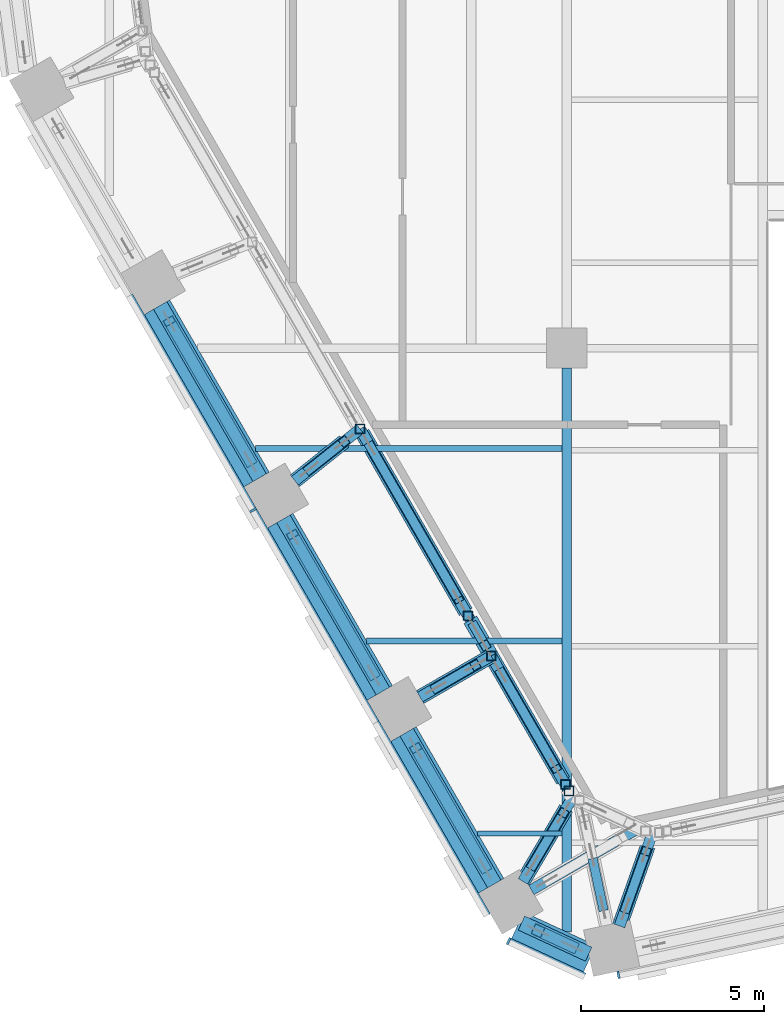
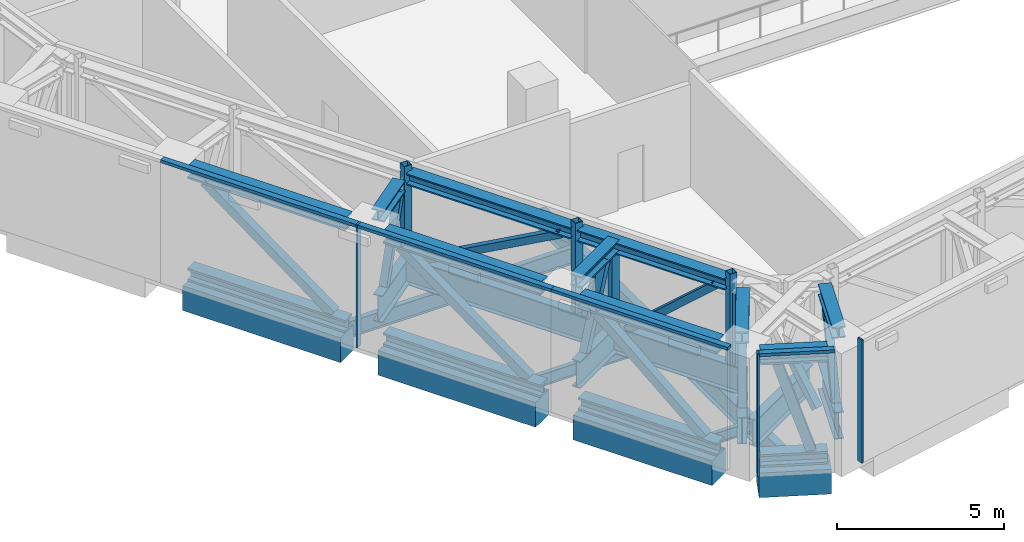
# One storey, part 2 of 26: 45 members, 8 beams, 3 elements without a shape of their own.
"""IFC4 building model written with IfcOpenShell, lengths in metres."""

from ifc_helpers import new_model, si_unit, direction, frame, origin, origin_2d, place, context, subcontext, project, spatial, rectangle, hollow_rectangle, i_section, extrude, material, layer, layer_set, material_profile, profile_set, type_object, element, aggregate, save


model = new_model("IFC4")

# Units and contexts
model_context = context("Model", 3, precision=1e-05, world=origin(), true_north=direction((0.0, 1.0)))
body_context = subcontext(model_context, "Body", "Model", "MODEL_VIEW")
ifc_project = project(units=[si_unit("LENGTHUNIT", "METRE"), si_unit("AREAUNIT", "SQUARE_METRE"), si_unit("VOLUMEUNIT", "CUBIC_METRE"), si_unit("PLANEANGLEUNIT", "RADIAN"), si_unit("MASSUNIT", "GRAM", prefix="KILO")], contexts=[model_context])

# Site, building, storey
site_placement = place(None, origin())
site = spatial("IfcSite", under=ifc_project, at=site_placement, CompositionType="ELEMENT")
building_placement = place(site_placement, origin())
building = spatial("IfcBuilding", under=site, at=building_placement, Name="Isthmus Gate Tower", CompositionType="ELEMENT")
storey_placement = place(building_placement, frame((0.0, 0.0, 207.300048828125)))
storey = spatial("IfcBuildingStorey", under=building, at=storey_placement, Name="L52", CompositionType="ELEMENT", Elevation=207.300048828125)

# Members
ifc_material_1 = material(Name="Structural steel ASTM A913 Gr 65", Category="steel")
ifc_material_profile_1 = material_profile(ifc_material_1, i_section(OverallWidth=0.42236328125, OverallDepth=0.46337890625, WebThickness=0.04443359375, FlangeThickness=0.072998046875, at=origin_2d()), Name="W14X398")
ifc_profile_set_1 = profile_set([ifc_material_profile_1], Name="Structural steel ASTM A913 Gr 65")
member_type_1 = type_object("IfcMemberType", Name="BELT TRUSS CHORD W14X398", PredefinedType="CHORD", material=ifc_profile_set_1)
for number, where, z_axis, x_axis, name in (
    (1, (-12.8984375, -30.102783203125, 0.231689453125), (-0.907232180395, 0.420630206781, 0.0), (-0.420630206781, -0.907232180395, 0.0), "str-belt15-L52-01"),
    (2, (-12.8984375, -30.102783203125, 3.96826171875), (-0.907232180395, 0.420630206781, 0.0), (-0.420630206781, -0.907232180395, 0.0), "str-belt15-L52-02"),
):
    element("IfcMember", number, at=place(storey_placement, frame(where, z_axis=z_axis, x_axis=x_axis)), inside=storey, type_object=member_type_1, Name=name, PredefinedType="CHORD", context=body_context, shape_type="SweptSolid", body=[
        extrude(i_section(OverallWidth=0.42236328125, OverallDepth=0.46337890625, WebThickness=0.04443359375, FlangeThickness=0.072998046875, at=origin_2d()), origin(), (0.0, 0.0, 1.0), 2.028076171875),
    ])
for number, where, z_axis, x_axis, name in (
    (3, (-15.484619140625, -28.1796875, 0.231689453125), (-0.500017431331, 0.866015339567, 0.0), (-0.866015339567, -0.500017431331, 0.0), "str-belt16-L52-01"),
    (4, (-15.484619140625, -28.1796875, 3.96826171875), (-0.500017431331, 0.866015339567, 0.0), (-0.866015339567, -0.500017431331, 0.0), "str-belt16-L52-02"),
):
    element("IfcMember", number, at=place(storey_placement, frame(where, z_axis=z_axis, x_axis=x_axis)), inside=storey, type_object=member_type_1, Name=name, PredefinedType="CHORD", context=body_context, shape_type="SweptSolid", body=[
        extrude(i_section(OverallWidth=0.42236328125, OverallDepth=0.46337890625, WebThickness=0.04443359375, FlangeThickness=0.072998046875, at=origin_2d()), origin(), (0.0, 0.0, 1.0), 4.800048828125),
    ])
for number, where, z_axis, x_axis, name in (
    (5, (-18.53466796875, -22.896728515625, 0.231689453125), (-0.500002931134, 0.866023711487, 0.0), (-0.866023711487, -0.500002931134, 0.0), "str-belt17-L52-01"),
    (6, (-18.53466796875, -22.896728515625, 3.96826171875), (-0.500002931134, 0.866023711487, 0.0), (-0.866023711487, -0.500002931134, 0.0), "str-belt17-L52-02"),
    (7, (-21.909912109375, -17.051025390625, 0.231689453125), (-0.500002931134, 0.866023711487, 0.0), (-0.866023711487, -0.500002931134, 0.0), "str-belt18-L52-01"),
    (8, (-21.909912109375, -17.051025390625, 3.96826171875), (-0.500002931134, 0.866023711487, 0.0), (-0.866023711487, -0.500002931134, 0.0), "str-belt18-L52-02"),
):
    element("IfcMember", number, at=place(storey_placement, frame(where, z_axis=z_axis, x_axis=x_axis)), inside=storey, type_object=member_type_1, Name=name, PredefinedType="CHORD", context=body_context, shape_type="SweptSolid", body=[
        extrude(i_section(OverallWidth=0.42236328125, OverallDepth=0.46337890625, WebThickness=0.04443359375, FlangeThickness=0.072998046875, at=origin_2d()), origin(), (0.0, 0.0, 1.0), 5.4501953125),
    ])

# Curtain wall, member
ifc_material_2 = material(Name="Aluminium, pale champagne anodised", Category="aluminium")
ifc_layer = layer(ifc_material_2, 0.199951171875)
ifc_layer_set = layer_set([ifc_layer], Name="CW-2 LOUVRE CURTAIN WALL 200 DEEP")
curtain_wall_type = type_object("IfcCurtainWallType", Name="CW-2 LOUVRE CURTAIN WALL 200 DEEP", PredefinedType="NOTDEFINED", material=ifc_layer_set)
curtain_wall_1_placement = place(storey_placement, origin())
curtain_wall_1 = element("IfcCurtainWall", 9, at=curtain_wall_1_placement, inside=storey, type_object=curtain_wall_type, Name="CW-2 SW L52", PredefinedType="NOTDEFINED")
ifc_material_3 = material(Name="Aluminium, pale champagne anodised", Category="aluminium")
ifc_material_profile_2 = material_profile(ifc_material_3, rectangle(XDim=0.06005859375, YDim=0.199951171875, at=origin_2d()), Name="60x200")
ifc_profile_set_2 = profile_set([ifc_material_profile_2], Name="Aluminium, pale champagne anodised")
member_type_2 = type_object("IfcMemberType", Name="CW-2 MULLION 60 X 200", PredefinedType="MULLION", material=ifc_profile_set_2)
member_1_placement = place(storey_placement, frame((-22.08935546875, -17.93994140625, 0.0), z_axis=(0.0, 0.0, 1.0), x_axis=(0.5, -0.866025403784, 0.0)))
member_1 = element("IfcMember", 10, at=member_1_placement, type_object=member_type_2, Name="CW-2 mullion", PredefinedType="MULLION", context=body_context, shape_type="SweptSolid", body=[
    extrude(rectangle(XDim=0.06005859375, YDim=0.199951171875, at=origin_2d()), origin(), (0.0, 0.0, 1.0), 4.5),
])

curtain_wall_2_placement = place(storey_placement, origin())
curtain_wall_2 = element("IfcCurtainWall", 11, at=curtain_wall_2_placement, inside=storey, type_object=curtain_wall_type, Name="CW-2 SW-S L52", PredefinedType="NOTDEFINED")
member_2_placement = place(storey_placement, frame((-15.091064453125, -29.74755859375, 0.0), z_axis=(0.0, 0.0, 1.0), x_axis=(0.907256261367, -0.420578264073, 0.0)))
member_2 = element("IfcMember", 12, at=member_2_placement, type_object=member_type_2, Name="CW-2 mullion", PredefinedType="MULLION", context=body_context, shape_type="SweptSolid", body=[
    extrude(rectangle(XDim=0.06005859375, YDim=0.199951171875, at=origin_2d()), origin(), (0.0, 0.0, 1.0), 4.5),
])

curtain_wall_3_placement = place(storey_placement, origin())
curtain_wall_3 = element("IfcCurtainWall", 13, at=curtain_wall_3_placement, inside=storey, type_object=curtain_wall_type, Name="CW-2 S L52", PredefinedType="NOTDEFINED")
member_3_placement = place(storey_placement, frame((-12.082763671875, -30.67041015625, 0.0), z_axis=(0.0, 0.0, 1.0), x_axis=(0.978147600734, 0.207911690818, 0.0)))
member_3 = element("IfcMember", 14, at=member_3_placement, type_object=member_type_2, Name="CW-2 mullion", PredefinedType="MULLION", context=body_context, shape_type="SweptSolid", body=[
    extrude(rectangle(XDim=0.06005859375, YDim=0.199951171875, at=origin_2d()), origin(), (0.0, 0.0, 1.0), 4.5),
])
aggregate(curtain_wall_3, [member_3])

# Member
ifc_material_4 = material(Name="Aluminium, pale champagne anodised", Category="aluminium")
ifc_material_profile_3 = material_profile(ifc_material_4, rectangle(XDim=0.199951171875, YDim=0.110107421875, at=origin_2d()), Name="200x110")
ifc_profile_set_3 = profile_set([ifc_material_profile_3], Name="Aluminium, pale champagne anodised")
member_type_3 = type_object("IfcMemberType", Name="CW-2 TRANSOM 200 X 110", PredefinedType="USERDEFINED", material=ifc_profile_set_3)
member_4_placement = place(storey_placement, frame((-25.4794921875, -12.068115234375, 4.445068359375), z_axis=(0.49998230858, -0.86603561769, 0.0), x_axis=(0.86603561769, 0.49998230858, 0.0)))
member_4 = element("IfcMember", 15, at=member_4_placement, type_object=member_type_3, Name="CW-2 transom", ObjectType="TRANSOM", PredefinedType="USERDEFINED", context=body_context, shape_type="SweptSolid", body=[
    extrude(rectangle(XDim=0.199951171875, YDim=0.110107421875, at=origin_2d()), origin(), (0.0, 0.0, 1.0), 6.750244140625),
])

member_5_placement = place(storey_placement, frame((-22.074462890625, -17.9658203125, 4.445068359375), z_axis=(0.499981482168, -0.866036094796, 0.0), x_axis=(0.866036094796, 0.499981482168, 0.0)))
member_5 = element("IfcMember", 16, at=member_5_placement, type_object=member_type_3, Name="CW-2 transom", ObjectType="TRANSOM", PredefinedType="USERDEFINED", context=body_context, shape_type="SweptSolid", body=[
    extrude(rectangle(XDim=0.199951171875, YDim=0.110107421875, at=origin_2d()), origin(), (0.0, 0.0, 1.0), 6.690185546875),
])

member_6_placement = place(storey_placement, frame((-18.7294921875, -23.759765625, 4.445068359375), z_axis=(0.499991521122, -0.866030299012, 0.0), x_axis=(0.866030299012, 0.499991521122, 0.0)))
member_6 = element("IfcMember", 17, at=member_6_placement, type_object=member_type_3, Name="CW-2 transom", ObjectType="TRANSOM", PredefinedType="USERDEFINED", context=body_context, shape_type="SweptSolid", body=[
    extrude(rectangle(XDim=0.199951171875, YDim=0.110107421875, at=origin_2d()), origin(), (0.0, 0.0, 1.0), 6.10009765625),
])

aggregate(curtain_wall_1, [member_4, member_1, member_5, member_6])

member_7_placement = place(storey_placement, frame((-15.06396484375, -29.76025390625, 4.445068359375), z_axis=(0.907246225564, -0.420599912268, 0.0), x_axis=(0.420599912268, 0.907246225564, 0.0)))
member_7 = element("IfcMember", 18, at=member_7_placement, type_object=member_type_3, Name="CW-2 transom", ObjectType="TRANSOM", PredefinedType="USERDEFINED", context=body_context, shape_type="SweptSolid", body=[
    extrude(rectangle(XDim=0.199951171875, YDim=0.110107421875, at=origin_2d()), origin(), (0.0, 0.0, 1.0), 2.258544921875),
])

aggregate(curtain_wall_2, [member_2, member_7])

# Beams
ifc_material_5 = material(Name="Concrete f'c 60 MPa", Category="concrete")
ifc_material_profile_4 = material_profile(ifc_material_5, rectangle(XDim=0.800048828125, YDim=0.89990234375, at=origin_2d()), Name="RC 800X900")
ifc_profile_set_4 = profile_set([ifc_material_profile_4], Name="Concrete f'c 60 MPa")
beam_type_1 = type_object("IfcBeamType", Name="RC SPANDREL 800 X 900", PredefinedType="SPANDREL", material=ifc_profile_set_4)
beam_1_placement = place(storey_placement, frame((-12.87255859375, -30.224853515625, -0.449951171875), z_axis=(-0.907290744498, 0.420503870314, 0.0), x_axis=(-0.420503870314, -0.907290744498, 0.0)))
element("IfcBeam", 19, at=beam_1_placement, inside=storey, type_object=beam_type_1, Name="str-spandrel-L52-15", PredefinedType="SPANDREL", context=body_context, shape_type="SweptSolid", body=[
    extrude(rectangle(XDim=0.800048828125, YDim=0.89990234375, at=origin_2d()), origin(), (0.0, 0.0, 1.0), 2.173095703125),
])
beam_2_placement = place(storey_placement, frame((-15.5712890625, -28.229736328125, -0.449951171875), z_axis=(-0.500017431331, 0.866015339567, 0.0), x_axis=(-0.866015339567, -0.500017431331, 0.0)))
element("IfcBeam", 20, at=beam_2_placement, inside=storey, type_object=beam_type_1, Name="str-spandrel-L52-16", PredefinedType="SPANDREL", context=body_context, shape_type="SweptSolid", body=[
    extrude(rectangle(XDim=0.800048828125, YDim=0.89990234375, at=origin_2d()), origin(), (0.0, 0.0, 1.0), 4.800048828125),
])
for number, where, z_axis, x_axis, name in (
    (21, (-18.621337890625, -22.94677734375, -0.449951171875), (-0.500002931134, 0.866023711487, 0.0), (-0.866023711487, -0.500002931134, 0.0), "str-spandrel-L52-17"),
    (22, (-21.996337890625, -17.10107421875, -0.449951171875), (-0.500002931134, 0.866023711487, 0.0), (-0.866023711487, -0.500002931134, 0.0), "str-spandrel-L52-18"),
):
    element("IfcBeam", number, at=place(storey_placement, frame(where, z_axis=z_axis, x_axis=x_axis)), inside=storey, type_object=beam_type_1, Name=name, PredefinedType="SPANDREL", context=body_context, shape_type="SweptSolid", body=[
        extrude(rectangle(XDim=0.800048828125, YDim=0.89990234375, at=origin_2d()), origin(), (0.0, 0.0, 1.0), 5.4501953125),
    ])
ifc_material_6 = material(Name="Structural steel ASTM A992 Gr 50", Category="steel")
ifc_material_profile_5 = material_profile(ifc_material_6, i_section(OverallWidth=0.1396484375, OverallDepth=0.4033203125, WebThickness=0.00634765625, FlangeThickness=0.010986328125, at=origin_2d()), Name="W16X31")
ifc_profile_set_5 = profile_set([ifc_material_profile_5], Name="Structural steel ASTM A992 Gr 50")
beam_type_2 = type_object("IfcBeamType", Name="STEEL FLOOR BEAM W16X31", PredefinedType="JOIST", material=ifc_profile_set_5)
beam_3_placement = place(storey_placement, frame((-15.937744140625, -26.795166015625, -0.501708984375), z_axis=(1.0, 0.0, 0.0), x_axis=(0.0, 1.0, 0.0)))
element("IfcBeam", 23, at=beam_3_placement, inside=storey, type_object=beam_type_2, Name="str-beam-L52-02-00", PredefinedType="JOIST", context=body_context, shape_type="SweptSolid", body=[
    extrude(i_section(OverallWidth=0.1396484375, OverallDepth=0.4033203125, WebThickness=0.00634765625, FlangeThickness=0.010986328125, at=origin_2d()), origin(), (0.0, 0.0, 1.0), 2.304443359375),
])
ifc_material_7 = material(Name="Structural steel ASTM A992 Gr 50", Category="steel")
ifc_material_profile_6 = material_profile(ifc_material_7, i_section(OverallWidth=0.15234375, OverallDepth=0.45068359375, WebThickness=0.0078125, FlangeThickness=0.010986328125, at=origin_2d()), Name="W18X35")
ifc_profile_set_6 = profile_set([ifc_material_profile_6], Name="Structural steel ASTM A992 Gr 50")
beam_type_3 = type_object("IfcBeamType", Name="STEEL FLOOR BEAM W18X35", PredefinedType="JOIST", material=ifc_profile_set_6)
beam_4_placement = place(storey_placement, frame((-18.981689453125, -21.52294921875, -0.525390625), z_axis=(1.0, 0.0, 0.0), x_axis=(0.0, 1.0, 0.0)))
element("IfcBeam", 24, at=beam_4_placement, inside=storey, type_object=beam_type_3, Name="str-beam-L52-02-01", PredefinedType="JOIST", context=body_context, shape_type="SweptSolid", body=[
    extrude(i_section(OverallWidth=0.15234375, OverallDepth=0.45068359375, WebThickness=0.0078125, FlangeThickness=0.010986328125, at=origin_2d()), origin(), (0.0, 0.0, 1.0), 5.348388671875),
])
ifc_material_8 = material(Name="Structural steel ASTM A992 Gr 50", Category="steel")
ifc_material_profile_7 = material_profile(ifc_material_8, i_section(OverallWidth=0.177734375, OverallDepth=0.60009765625, WebThickness=0.009521484375, FlangeThickness=0.0126953125, at=origin_2d()), Name="W24X55")
ifc_profile_set_7 = profile_set([ifc_material_profile_7], Name="Structural steel ASTM A992 Gr 50")
beam_type_4 = type_object("IfcBeamType", Name="STEEL FLOOR BEAM W24X55", PredefinedType="JOIST", material=ifc_profile_set_7)
beam_5_placement = place(storey_placement, frame((-22.025634765625, -16.25048828125, -0.60009765625), z_axis=(1.0, 0.0, 0.0), x_axis=(0.0, 1.0, 0.0)))
element("IfcBeam", 25, at=beam_5_placement, inside=storey, type_object=beam_type_4, Name="str-beam-L52-02-02", PredefinedType="JOIST", context=body_context, shape_type="SweptSolid", body=[
    extrude(i_section(OverallWidth=0.177734375, OverallDepth=0.60009765625, WebThickness=0.009521484375, FlangeThickness=0.0126953125, at=origin_2d()), origin(), (0.0, 0.0, 1.0), 8.392333984375),
])
ifc_material_9 = material(Name="Structural steel ASTM A992 Gr 50", Category="steel")
ifc_material_profile_8 = material_profile(ifc_material_9, i_section(OverallWidth=0.2666015625, OverallDepth=0.7587890625, WebThickness=0.014404296875, FlangeThickness=0.01904296875, at=origin_2d()), Name="W30X108")
ifc_profile_set_8 = profile_set([ifc_material_profile_8], Name="Structural steel ASTM A992 Gr 50")
beam_type_5 = type_object("IfcBeamType", Name="STEEL GIRDER W30X108", PredefinedType="BEAM", material=ifc_profile_set_8)
beam_6_placement = place(storey_placement, frame((-13.5, -29.4931640625, -0.679443359375), z_axis=(0.0, 1.0, 0.0), x_axis=(-1.0, 0.0, 0.0)))
element("IfcBeam", 26, at=beam_6_placement, inside=storey, type_object=beam_type_5, Name="str-girder-L52-07", PredefinedType="BEAM", context=body_context, shape_type="SweptSolid", body=[
    extrude(i_section(OverallWidth=0.2666015625, OverallDepth=0.7587890625, WebThickness=0.014404296875, FlangeThickness=0.01904296875, at=origin_2d()), origin(), (0.0, 0.0, 1.0), 15.443115234375),
])

# Members
ifc_material_10 = material(Name="Structural steel ASTM A913 Gr 65", Category="steel")
ifc_material_profile_9 = material_profile(ifc_material_10, i_section(OverallWidth=0.406494140625, OverallDepth=0.416015625, WebThickness=0.0302734375, FlangeThickness=0.047607421875, at=origin_2d()), Name="W14X257")
ifc_profile_set_9 = profile_set([ifc_material_profile_9], Name="Structural steel ASTM A913 Gr 65")
member_type_4 = type_object("IfcMemberType", Name="TRANSFER TRUSS CHORD W14X257", PredefinedType="CHORD", material=ifc_profile_set_9)
member_8_placement = place(storey_placement, frame((-13.59912109375, -25.345458984375, 3.89208984375), z_axis=(-0.500003844327, 0.86602318425, 0.0), x_axis=(-0.86602318425, -0.500003844327, 0.0)))
element("IfcMember", 27, at=member_8_placement, inside=storey, type_object=member_type_4, Name="str-ring07-L52-14", PredefinedType="CHORD", context=body_context, shape_type="SweptSolid", body=[
    extrude(i_section(OverallWidth=0.406494140625, OverallDepth=0.416015625, WebThickness=0.0302734375, FlangeThickness=0.047607421875, at=origin_2d()), origin(), (0.0, 0.0, 1.0), 5.08203125),
])
member_9_placement = place(storey_placement, frame((-16.267333984375, -20.724365234375, 3.89208984375), z_axis=(-0.499977735446, 0.866038257849, 0.0), x_axis=(-0.866038257849, -0.499977735446, 0.0)))
element("IfcMember", 28, at=member_9_placement, inside=storey, type_object=member_type_4, Name="str-ring07-L52-15", PredefinedType="CHORD", context=body_context, shape_type="SweptSolid", body=[
    extrude(i_section(OverallWidth=0.406494140625, OverallDepth=0.416015625, WebThickness=0.0302734375, FlangeThickness=0.047607421875, at=origin_2d()), origin(), (0.0, 0.0, 1.0), 5.656982421875),
])
member_10_placement = place(storey_placement, frame((-20.946044921875, -17.134521484375, 3.89208984375), z_axis=(0.783003443229, 0.622017369445, 0.0), x_axis=(-0.622017369445, 0.783003443229, 0.0)))
element("IfcMember", 29, at=member_10_placement, inside=storey, type_object=member_type_4, Name="str-link12-L52-02", PredefinedType="CHORD", context=body_context, shape_type="SweptSolid", body=[
    extrude(i_section(OverallWidth=0.406494140625, OverallDepth=0.416015625, WebThickness=0.0302734375, FlangeThickness=0.047607421875, at=origin_2d()), origin(), (0.0, 0.0, 1.0), 1.725830078125),
])
member_11_placement = place(storey_placement, frame((-17.516845703125, -23.059814453125, 3.89208984375), z_axis=(0.866017533419, 0.500013631625, 0.0), x_axis=(-0.500013631625, 0.866017533419, 0.0)))
element("IfcMember", 30, at=member_11_placement, inside=storey, type_object=member_type_4, Name="str-link13-L52-02", PredefinedType="CHORD", context=body_context, shape_type="SweptSolid", body=[
    extrude(i_section(OverallWidth=0.406494140625, OverallDepth=0.416015625, WebThickness=0.0302734375, FlangeThickness=0.047607421875, at=origin_2d()), origin(), (0.0, 0.0, 1.0), 2.25),
])
member_12_placement = place(storey_placement, frame((-12.05126953125, -29.330322265625, 3.89208984375), z_axis=(0.333150141196, 0.942873789762, 0.0), x_axis=(-0.942873789762, 0.333150141196, 0.0)))
element("IfcMember", 31, at=member_12_placement, inside=storey, type_object=member_type_4, Name="str-link36-L52-02", PredefinedType="CHORD", context=body_context, shape_type="SweptSolid", body=[
    extrude(i_section(OverallWidth=0.406494140625, OverallDepth=0.416015625, WebThickness=0.0302734375, FlangeThickness=0.047607421875, at=origin_2d()), origin(), (0.0, 0.0, 1.0), 2.321533203125),
])
member_13_placement = place(storey_placement, frame((-14.698974609375, -28.108154296875, 3.89208984375), z_axis=(0.508831918129, 0.860865889145, 0.0), x_axis=(-0.860865889145, 0.508831918129, 0.0)))
element("IfcMember", 32, at=member_13_placement, inside=storey, type_object=member_type_4, Name="str-link37-L52-02", PredefinedType="CHORD", context=body_context, shape_type="SweptSolid", body=[
    extrude(i_section(OverallWidth=0.406494140625, OverallDepth=0.416015625, WebThickness=0.0302734375, FlangeThickness=0.047607421875, at=origin_2d()), origin(), (0.0, 0.0, 1.0), 2.32470703125),
])
ifc_material_11 = material(Name="Structural steel ASTM A913 Gr 65", Category="steel")
ifc_material_profile_10 = material_profile(ifc_material_11, i_section(OverallWidth=0.29833984375, OverallDepth=0.981201171875, WebThickness=0.015869140625, FlangeThickness=0.025390625, at=origin_2d()), Name="W40X167")
ifc_profile_set_10 = profile_set([ifc_material_profile_10], Name="Structural steel ASTM A913 Gr 65")
member_type_5 = type_object("IfcMemberType", Name="TRANSFER TRUSS CHORD W40X167", PredefinedType="CHORD", material=ifc_profile_set_10)
member_14_placement = place(storey_placement, frame((-13.335693359375, -25.8017578125, 0.490478515625), z_axis=(-0.499996983142, 0.866027145561, 0.0), x_axis=(-0.866027145561, -0.499996983142, 0.0)))
element("IfcMember", 33, at=member_14_placement, inside=storey, type_object=member_type_5, Name="str-ring07-L52-09", PredefinedType="CHORD", context=body_context, shape_type="SweptSolid", body=[
    extrude(i_section(OverallWidth=0.29833984375, OverallDepth=0.981201171875, WebThickness=0.015869140625, FlangeThickness=0.025390625, at=origin_2d()), origin(), (0.0, 0.0, 1.0), 4.46484375),
])
member_15_placement = place(storey_placement, frame((-15.568115234375, -21.93505859375, 0.490478515625), z_axis=(-0.500010823725, 0.866019154614, 0.0), x_axis=(-0.866019154614, -0.500010823725, 0.0)))
element("IfcMember", 34, at=member_15_placement, inside=storey, type_object=member_type_5, Name="str-ring07-L52-10", PredefinedType="CHORD", context=body_context, shape_type="SweptSolid", body=[
    extrude(i_section(OverallWidth=0.29833984375, OverallDepth=0.981201171875, WebThickness=0.015869140625, FlangeThickness=0.025390625, at=origin_2d()), origin(), (0.0, 0.0, 1.0), 7.181884765625),
])
member_16_placement = place(storey_placement, frame((-20.946044921875, -17.134521484375, 0.490478515625), z_axis=(0.78301429726, 0.622003706007, 0.0), x_axis=(-0.622003706007, 0.78301429726, 0.0)))
element("IfcMember", 35, at=member_16_placement, inside=storey, type_object=member_type_5, Name="str-link12-L52-01", PredefinedType="CHORD", context=body_context, shape_type="SweptSolid", body=[
    extrude(i_section(OverallWidth=0.29833984375, OverallDepth=0.981201171875, WebThickness=0.015869140625, FlangeThickness=0.025390625, at=origin_2d()), origin(), (0.0, 0.0, 1.0), 2.281982421875),
])
member_17_placement = place(storey_placement, frame((-17.516845703125, -23.059814453125, 0.490478515625), z_axis=(0.866017533419, 0.500013631625, 0.0), x_axis=(-0.500013631625, 0.866017533419, 0.0)))
element("IfcMember", 36, at=member_17_placement, inside=storey, type_object=member_type_5, Name="str-link13-L52-01", PredefinedType="CHORD", context=body_context, shape_type="SweptSolid", body=[
    extrude(i_section(OverallWidth=0.29833984375, OverallDepth=0.981201171875, WebThickness=0.015869140625, FlangeThickness=0.025390625, at=origin_2d()), origin(), (0.0, 0.0, 1.0), 2.25),
])
member_18_placement = place(storey_placement, frame((-14.466796875, -28.342529296875, 0.490478515625), z_axis=(0.866038511948, 0.499977295307, 0.0), x_axis=(-0.499977295307, 0.866038511948, 0.0)))
element("IfcMember", 37, at=member_18_placement, inside=storey, type_object=member_type_5, Name="str-link14-L52-01", PredefinedType="CHORD", context=body_context, shape_type="SweptSolid", body=[
    extrude(i_section(OverallWidth=0.29833984375, OverallDepth=0.981201171875, WebThickness=0.015869140625, FlangeThickness=0.025390625, at=origin_2d()), origin(), (0.0, 0.0, 1.0), 3.400146484375),
])
member_19_placement = place(storey_placement, frame((-12.05126953125, -29.330322265625, 0.490478515625), z_axis=(0.333111541944, 0.942887427334, 0.0), x_axis=(-0.942887427334, 0.333111541944, 0.0)))
element("IfcMember", 38, at=member_19_placement, inside=storey, type_object=member_type_5, Name="str-link36-L52-01", PredefinedType="CHORD", context=body_context, shape_type="SweptSolid", body=[
    extrude(i_section(OverallWidth=0.29833984375, OverallDepth=0.981201171875, WebThickness=0.015869140625, FlangeThickness=0.025390625, at=origin_2d()), origin(), (0.0, 0.0, 1.0), 2.6728515625),
])
member_20_placement = place(storey_placement, frame((-14.698974609375, -28.108154296875, 0.490478515625), z_axis=(0.508842900166, 0.860859397899, 0.0), x_axis=(-0.860859397899, 0.508842900166, 0.0)))
element("IfcMember", 39, at=member_20_placement, inside=storey, type_object=member_type_5, Name="str-link37-L52-01", PredefinedType="CHORD", context=body_context, shape_type="SweptSolid", body=[
    extrude(i_section(OverallWidth=0.29833984375, OverallDepth=0.981201171875, WebThickness=0.015869140625, FlangeThickness=0.025390625, at=origin_2d()), origin(), (0.0, 0.0, 1.0), 2.67919921875),
])
ifc_material_12 = material(Name="Structural steel ASTM A500 Gr C", Category="steel")
ifc_material_profile_11 = material_profile(ifc_material_12, hollow_rectangle(XDim=0.25390625, YDim=0.25390625, WallThickness=0.01171875, at=origin_2d()), Name="HSS10X10X1/2")
ifc_profile_set_11 = profile_set([ifc_material_profile_11], Name="Structural steel ASTM A500 Gr C")
member_type_6 = type_object("IfcMemberType", Name="TRANSFER TRUSS DIAGONAL HSS10X10X1/2", PredefinedType="BRACE", material=ifc_profile_set_11)
member_21_placement = place(storey_placement, frame((-15.318115234375, -22.3681640625, 0.98095703125), z_axis=(0.374995091325, -0.649505597082, 0.661453823665), x_axis=(0.866023752521, 0.50000286006, 0.0)))
element("IfcMember", 40, at=member_21_placement, inside=storey, type_object=member_type_6, Name="str-ring07-L52-19", PredefinedType="BRACE", context=body_context, shape_type="SweptSolid", body=[
    extrude(hollow_rectangle(XDim=0.25390625, YDim=0.25390625, WallThickness=0.01171875, at=origin_2d()), origin(), (0.0, 0.0, 1.0), 4.086669921875),
])
member_22_placement = place(storey_placement, frame((-16.035888671875, -21.124755859375, 0.98095703125), z_axis=(0.108274840944, -0.187717537761, 0.97623700239), x_axis=(0.866232998003, 0.499640263761, 0.0)))
element("IfcMember", 41, at=member_22_placement, inside=storey, type_object=member_type_6, Name="str-ring07-L52-20", PredefinedType="BRACE", context=body_context, shape_type="SweptSolid", body=[
    extrude(hollow_rectangle(XDim=0.25390625, YDim=0.25390625, WallThickness=0.01171875, at=origin_2d()), origin(), (0.0, 0.0, 1.0), 2.76904296875),
])
member_23_placement = place(storey_placement, frame((-18.9091796875, -16.148193359375, 0.98095703125), z_axis=(0.43803205695, -0.758695214171, 0.482192377665), x_axis=(0.866025813625, 0.499999290135, 0.0)))
element("IfcMember", 42, at=member_23_placement, inside=storey, type_object=member_type_6, Name="str-ring07-L52-21", PredefinedType="BRACE", context=body_context, shape_type="SweptSolid", body=[
    extrude(hollow_rectangle(XDim=0.25390625, YDim=0.25390625, WallThickness=0.01171875, at=origin_2d()), origin(), (0.0, 0.0, 1.0), 5.60595703125),
])
member_24_placement = place(storey_placement, frame((-20.554443359375, -16.823486328125, 0.98095703125), z_axis=(0.323350148082, 0.256886927616, 0.910743535884), x_axis=(-0.622043800208, 0.782982445923, 0.0)))
element("IfcMember", 43, at=member_24_placement, inside=storey, type_object=member_type_6, Name="str-link12-L52-03", PredefinedType="BRACE", context=body_context, shape_type="SweptSolid", body=[
    extrude(hollow_rectangle(XDim=0.25390625, YDim=0.25390625, WallThickness=0.01171875, at=origin_2d()), origin(), (0.0, 0.0, 1.0), 2.968017578125),
])
member_25_placement = place(storey_placement, frame((-17.083984375, -22.809814453125, 0.98095703125), z_axis=(0.363487634318, 0.209862053192, 0.907653380056), x_axis=(-0.500004234368, 0.866022959057, 0.0)))
element("IfcMember", 44, at=member_25_placement, inside=storey, type_object=member_type_6, Name="str-link13-L52-03", PredefinedType="BRACE", context=body_context, shape_type="SweptSolid", body=[
    extrude(hollow_rectangle(XDim=0.25390625, YDim=0.25390625, WallThickness=0.01171875, at=origin_2d()), origin(), (0.0, 0.0, 1.0), 2.97802734375),
])
member_26_placement = place(storey_placement, frame((-12.507080078125, -28.818359375, 0.98095703125), z_axis=(-0.140721459983, 0.662045905633, 0.736133608481), x_axis=(-0.978147823497, -0.207910642797, 0.0)))
element("IfcMember", 45, at=member_26_placement, inside=storey, type_object=member_type_6, Name="str-link15-L52-03", PredefinedType="BRACE", context=body_context, shape_type="SweptSolid", body=[
    extrude(hollow_rectangle(XDim=0.25390625, YDim=0.25390625, WallThickness=0.01171875, at=origin_2d()), origin(), (0.0, 0.0, 1.0), 2.16162109375),
])
member_27_placement = place(storey_placement, frame((-11.884765625, -28.85888671875, 0.98095703125), z_axis=(0.175332490289, 0.496199395425, 0.85032033836), x_axis=(-0.942869034897, 0.333163597999, 0.0)))
element("IfcMember", 46, at=member_27_placement, inside=storey, type_object=member_type_6, Name="str-link36-L52-03", PredefinedType="BRACE", context=body_context, shape_type="SweptSolid", body=[
    extrude(hollow_rectangle(XDim=0.25390625, YDim=0.25390625, WallThickness=0.01171875, at=origin_2d()), origin(), (0.0, 0.0, 1.0), 3.178955078125),
])
member_28_placement = place(storey_placement, frame((-14.444580078125, -27.677734375, 0.98095703125), z_axis=(0.268518768063, 0.454257035915, 0.849439942856), x_axis=(-0.860848368677, 0.50886155892, 0.0)))
element("IfcMember", 47, at=member_28_placement, inside=storey, type_object=member_type_6, Name="str-link37-L52-03", PredefinedType="BRACE", context=body_context, shape_type="SweptSolid", body=[
    extrude(hollow_rectangle(XDim=0.25390625, YDim=0.25390625, WallThickness=0.01171875, at=origin_2d()), origin(), (0.0, 0.0, 1.0), 3.18212890625),
])
ifc_material_13 = material(Name="Structural steel ASTM A500 Gr C", Category="steel")
ifc_material_profile_12 = material_profile(ifc_material_13, hollow_rectangle(XDim=0.25390625, YDim=0.25390625, WallThickness=0.01171875, at=origin_2d()), Name="HSS10X10X1/2")
ifc_profile_set_12 = profile_set([ifc_material_profile_12], Name="Structural steel ASTM A500 Gr C")
member_type_7 = type_object("IfcMemberType", Name="TRANSFER TRUSS POST HSS10X10X1/2", PredefinedType="POST", material=ifc_profile_set_12)
member_29_placement = place(storey_placement, frame((-13.435791015625, -25.628662109375, 0.98095703125), z_axis=(0.0, 0.0, 1.0), x_axis=(1.0, 0.0, 0.0)))
element("IfcMember", 48, at=member_29_placement, inside=storey, type_object=member_type_7, Name="str-ring07-L52-01", PredefinedType="POST", context=body_context, shape_type="SweptSolid", body=[
    extrude(hollow_rectangle(XDim=0.25390625, YDim=0.25390625, WallThickness=0.01171875, at=origin_2d()), origin(), (0.0, 0.0, 1.0), 2.703125),
])
member_30_placement = place(storey_placement, frame((-13.53564453125, -25.455322265625, 0.98095703125), z_axis=(0.0, 0.0, 1.0), x_axis=(1.0, 0.0, 0.0)))
element("IfcMember", 49, at=member_30_placement, inside=storey, type_object=member_type_7, Name="str-ring07-L52-02", PredefinedType="POST", context=body_context, shape_type="SweptSolid", body=[
    extrude(hollow_rectangle(XDim=0.25390625, YDim=0.25390625, WallThickness=0.01171875, at=origin_2d()), origin(), (0.0, 0.0, 1.0), 3.319091796875),
])
member_31_placement = place(storey_placement, frame((-15.568115234375, -21.93505859375, 0.98095703125), z_axis=(0.0, 0.0, 1.0), x_axis=(1.0, 0.0, 0.0)))
element("IfcMember", 50, at=member_31_placement, inside=storey, type_object=member_type_7, Name="str-ring07-L52-03", PredefinedType="POST", context=body_context, shape_type="SweptSolid", body=[
    extrude(hollow_rectangle(XDim=0.25390625, YDim=0.25390625, WallThickness=0.01171875, at=origin_2d()), origin(), (0.0, 0.0, 1.0), 2.703125),
])
for number, where, z_axis, x_axis, name in (
    (51, (-16.20361328125, -20.834228515625, 0.98095703125), (0.0, 0.0, 1.0), (1.0, 0.0, 0.0), "str-ring07-L52-04"),
    (52, (-19.1591796875, -15.71533203125, 0.98095703125), (0.0, 0.0, 1.0), (1.0, 0.0, 0.0), "str-ring07-L52-05"),
):
    element("IfcMember", number, at=place(storey_placement, frame(where, z_axis=z_axis, x_axis=x_axis)), inside=storey, type_object=member_type_7, Name=name, PredefinedType="POST", context=body_context, shape_type="SweptSolid", body=[
        extrude(hollow_rectangle(XDim=0.25390625, YDim=0.25390625, WallThickness=0.01171875, at=origin_2d()), origin(), (0.0, 0.0, 1.0), 3.319091796875),
    ])
ifc_material_14 = material(Name="Structural steel ASTM A500 Gr C", Category="steel")
ifc_material_profile_13 = material_profile(ifc_material_14, hollow_rectangle(XDim=0.3046875, YDim=0.3046875, WallThickness=0.014892578125, at=origin_2d()), Name="HSS12X12X5/8")
ifc_profile_set_13 = profile_set([ifc_material_profile_13], Name="Structural steel ASTM A500 Gr C")
member_type_8 = type_object("IfcMemberType", Name="TRUSS DIAGONAL HSS12X12X5/8", PredefinedType="BRACE", material=ifc_profile_set_13)
member_32_placement = place(storey_placement, frame((-13.35205078125, -29.892333984375, 0.46337890625), z_axis=(-0.271837618622, 0.125956174073, 0.954064647346), x_axis=(-0.420413321764, -0.907332705728, 0.0)))
element("IfcMember", 53, at=member_32_placement, inside=storey, type_object=member_type_8, Name="str-belt15-L52-03", PredefinedType="BRACE", context=body_context, shape_type="SweptSolid", body=[
    extrude(hollow_rectangle(XDim=0.3046875, YDim=0.3046875, WallThickness=0.014892578125, at=origin_2d()), origin(), (0.0, 0.0, 1.0), 3.430908203125),
])
member_33_placement = place(storey_placement, frame((-15.734619140625, -27.74658203125, 0.46337890625), z_axis=(-0.378855637357, 0.65617037024, 0.652616925357), x_axis=(-0.86601654697, -0.500015340139, 0.0)))
element("IfcMember", 54, at=member_33_placement, inside=storey, type_object=member_type_8, Name="str-belt16-L52-03", PredefinedType="BRACE", context=body_context, shape_type="SweptSolid", body=[
    extrude(hollow_rectangle(XDim=0.3046875, YDim=0.3046875, WallThickness=0.014892578125, at=origin_2d()), origin(), (0.0, 0.0, 1.0), 5.015380859375),
])
member_34_placement = place(storey_placement, frame((-18.78466796875, -22.4638671875, 0.46337890625), z_axis=(-0.402781593377, 0.697642114664, 0.592505247137), x_axis=(-0.866026623601, -0.49999788721, 0.0)))
element("IfcMember", 55, at=member_34_placement, inside=storey, type_object=member_type_8, Name="str-belt17-L52-03", PredefinedType="BRACE", context=body_context, shape_type="SweptSolid", body=[
    extrude(hollow_rectangle(XDim=0.3046875, YDim=0.3046875, WallThickness=0.014892578125, at=origin_2d()), origin(), (0.0, 0.0, 1.0), 5.5244140625),
])
member_35_placement = place(storey_placement, frame((-22.159912109375, -16.617919921875, 0.46337890625), z_axis=(-0.402794011879, 0.697619429176, 0.592523515171), x_axis=(-0.866012907634, -0.500021643343, 0.0)))
element("IfcMember", 56, at=member_35_placement, inside=storey, type_object=member_type_8, Name="str-belt18-L52-03", PredefinedType="BRACE", context=body_context, shape_type="SweptSolid", body=[
    extrude(hollow_rectangle(XDim=0.3046875, YDim=0.3046875, WallThickness=0.014892578125, at=origin_2d()), origin(), (0.0, 0.0, 1.0), 5.524169921875),
])

save(model, "model.ifc")
